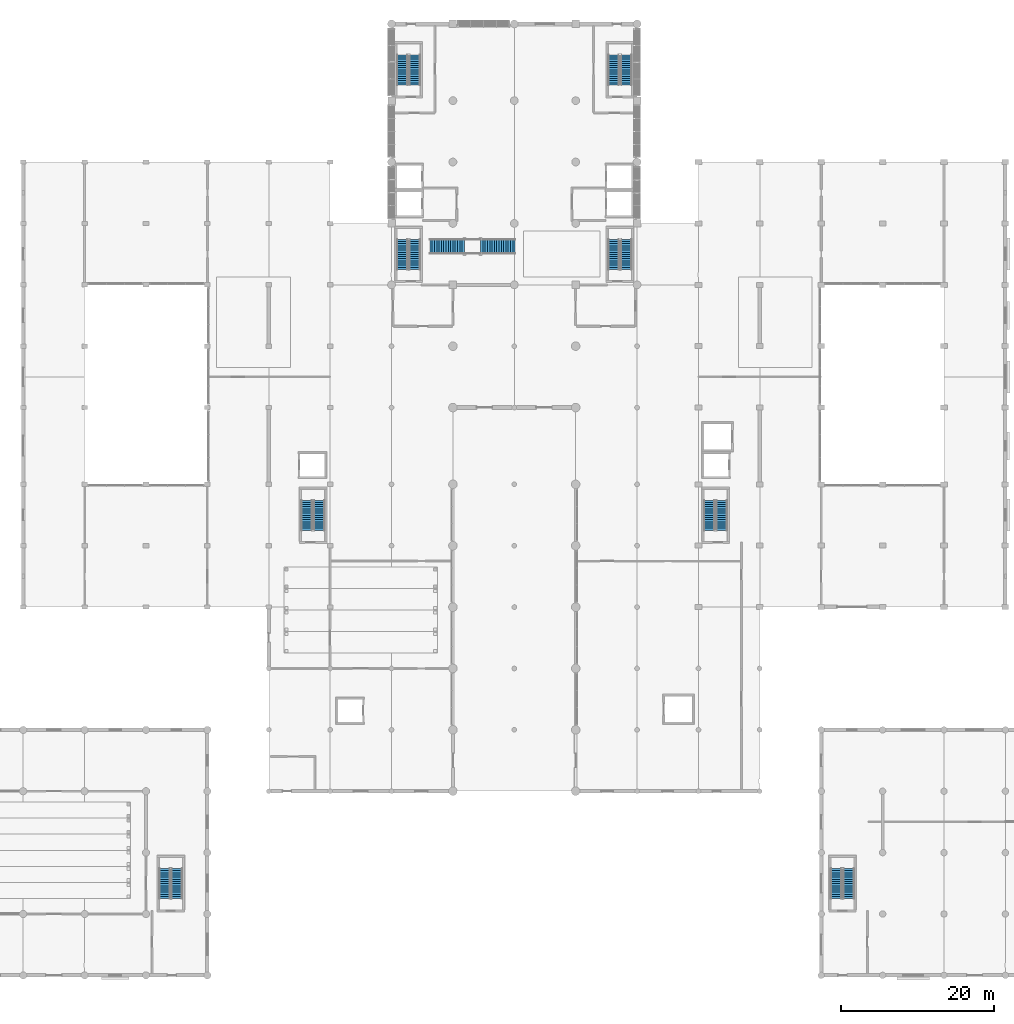
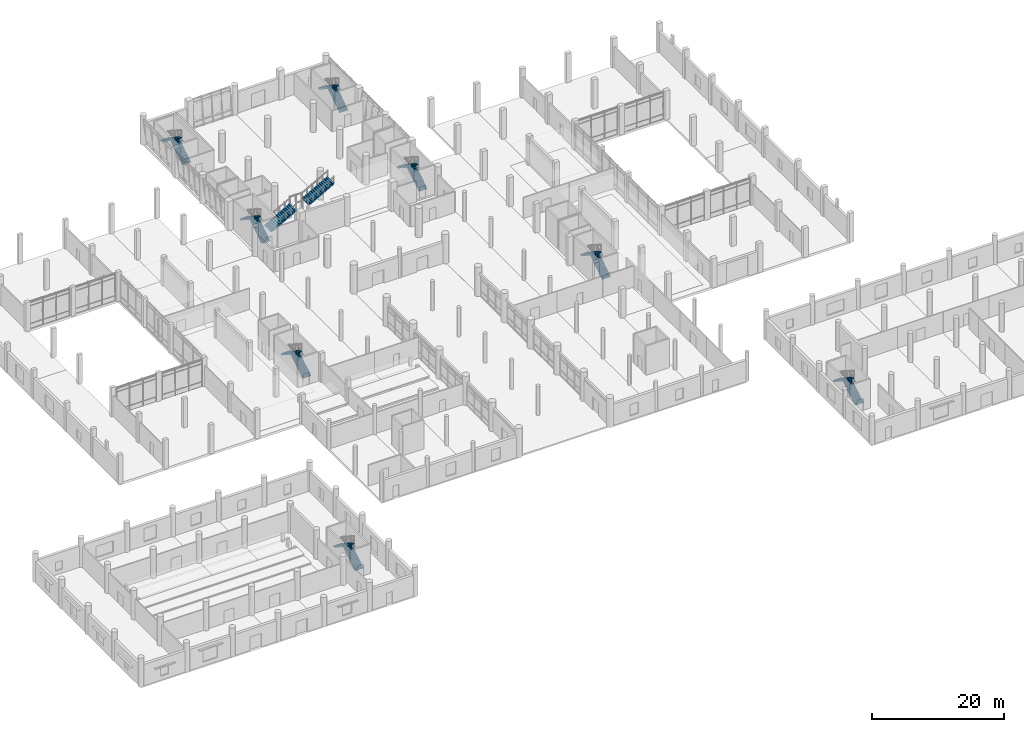
# One storey, part 31 of 42: 18 stair flights, 9 elements without a shape of their own.
"""IFC4 building model written with IfcOpenShell, lengths in metres."""

from ifc_helpers import new_model, si_unit, direction, frame, origin, place, context, subcontext, project, spatial, polyline, outline, extrude, material, type_object, element, aggregate, save


model = new_model("IFC4")

# Units and contexts
model_context = context("Model", 3, precision=1e-05, world=origin(), true_north=direction((0.0, 1.0)))
body_context = subcontext(model_context, "Body", "Model", "MODEL_VIEW")
ifc_project = project(units=[si_unit("LENGTHUNIT", "METRE"), si_unit("AREAUNIT", "SQUARE_METRE"), si_unit("VOLUMEUNIT", "CUBIC_METRE"), si_unit("PLANEANGLEUNIT", "RADIAN"), si_unit("MASSUNIT", "GRAM", prefix="KILO")], contexts=[model_context])

# Site, building, storey
site_placement = place(None, origin())
site = spatial("IfcSite", under=ifc_project, at=site_placement, CompositionType="ELEMENT")
building_placement = place(site_placement, origin())
building = spatial("IfcBuilding", under=site, at=building_placement, Name="Pecanmere Concourse Central Library", CompositionType="ELEMENT")
storey_placement = place(building_placement, origin())
storey = spatial("IfcBuildingStorey", under=building, at=storey_placement, Name="L01", CompositionType="ELEMENT", Elevation=0.0)

# Stair, stair flights
ifc_material_1 = material(Name="Concrete C35/45", Category="concrete")
stair_type_1 = type_object("IfcStairType", Name="STAIR_TYPE_ST-01-1800", PredefinedType="USERDEFINED", material=ifc_material_1)
stair_1_placement = place(storey_placement, origin())
stair_1 = element("IfcStair", 1, at=stair_1_placement, inside=storey, type_object=stair_type_1, Name="L01 Protected Stair ST-01", ObjectType="TWO_RETURN_STAIR", PredefinedType="USERDEFINED")
ifc_material_2 = material(Name="Concrete C35/45", Category="concrete")
stair_flight_type_1 = type_object("IfcStairFlightType", Name="FLIGHT_TYPE_SFL-145-1800", PredefinedType="STRAIGHT", material=ifc_material_2)
stair_flight_1_placement = place(storey_placement, frame((75.034912109375, 92.0, 0.0), z_axis=(0.0, 0.0, 1.0), x_axis=(0.0, 1.0, 0.0)))
stair_flight_1 = element("IfcStairFlight", 2, at=stair_flight_1_placement, type_object=stair_flight_type_1, Name="ST-01-1800 flight 1", NumberOfRisers=15, NumberOfTreads=14, PredefinedType="STRAIGHT", RiserHeight=0.18, TreadLength=0.28, context=body_context, shape_type="SweptSolid", body=[
    extrude(outline(polyline([(0.0, 0.0), (0.0, 0.179931640625), (0.280029296875, 0.179931640625), (0.280029296875, 0.360107421875), (0.56005859375, 0.360107421875), (0.56005859375, 0.5400390625), (0.840087890625, 0.5400390625), (0.840087890625, 0.719970703125), (1.1201171875, 0.719970703125), (1.1201171875, 0.89990234375), (1.39990234375, 0.89990234375), (1.39990234375, 1.080078125), (1.679931640625, 1.080078125), (1.679931640625, 1.260009765625), (1.9599609375, 1.260009765625), (1.9599609375, 1.43994140625), (2.239990234375, 1.43994140625), (2.239990234375, 1.6201171875), (2.52001953125, 1.6201171875), (2.52001953125, 1.800048828125), (2.800048828125, 1.800048828125), (2.800048828125, 1.97998046875), (3.080078125, 1.97998046875), (3.080078125, 2.159912109375), (3.360107421875, 2.159912109375), (3.360107421875, 2.340087890625), (3.639892578125, 2.340087890625), (3.639892578125, 2.52001953125), (3.919921875, 2.52001953125), (3.919921875, 2.699951171875), (3.919921875, 2.329833984375), (0.295654296875, 0.0), (0.0, 0.0)])), frame((0.0, 0.72509765625, 0.0), z_axis=(0.0, -1.0, 0.0), x_axis=(1.0, 0.0, 0.0)), (0.0, 0.0, 1.0), 1.449951171875),
])
stair_flight_2_placement = place(storey_placement, frame((73.425048828125, 95.919921875, 2.699951171875), z_axis=(0.0, 0.0, 1.0), x_axis=(0.0, -1.0, 0.0)))
stair_flight_2 = element("IfcStairFlight", 3, at=stair_flight_2_placement, type_object=stair_flight_type_1, Name="ST-01-1800 flight 2", NumberOfRisers=15, NumberOfTreads=14, PredefinedType="STRAIGHT", RiserHeight=0.18, TreadLength=0.28, context=body_context, shape_type="SweptSolid", body=[
    extrude(outline(polyline([(0.0, 0.0), (0.0, 0.179931640625), (0.280029296875, 0.179931640625), (0.280029296875, 0.360107421875), (0.56005859375, 0.360107421875), (0.56005859375, 0.5400390625), (0.840087890625, 0.5400390625), (0.840087890625, 0.719970703125), (1.1201171875, 0.719970703125), (1.1201171875, 0.89990234375), (1.39990234375, 0.89990234375), (1.39990234375, 1.080078125), (1.679931640625, 1.080078125), (1.679931640625, 1.260009765625), (1.9599609375, 1.260009765625), (1.9599609375, 1.43994140625), (2.239990234375, 1.43994140625), (2.239990234375, 1.6201171875), (2.52001953125, 1.6201171875), (2.52001953125, 1.800048828125), (2.800048828125, 1.800048828125), (2.800048828125, 1.97998046875), (3.080078125, 1.97998046875), (3.080078125, 2.159912109375), (3.360107421875, 2.159912109375), (3.360107421875, 2.340087890625), (3.639892578125, 2.340087890625), (3.639892578125, 2.52001953125), (3.919921875, 2.52001953125), (3.919921875, 2.699951171875), (3.919921875, 2.329833984375), (0.295654296875, 0.0), (0.0, 0.0)])), frame((0.0, 0.72509765625, 0.0), z_axis=(0.0, -1.0, 0.0), x_axis=(1.0, 0.0, 0.0)), (0.0, 0.0, 1.0), 1.449951171875),
])
aggregate(stair_1, [stair_flight_1, stair_flight_2])

ifc_material_3 = material(Name="Concrete C35/45", Category="concrete")
stair_type_2 = type_object("IfcStairType", Name="STAIR_TYPE_ST-02-1800", PredefinedType="USERDEFINED", material=ifc_material_3)
stair_2_placement = place(storey_placement, origin())
stair_2 = element("IfcStair", 4, at=stair_2_placement, inside=storey, type_object=stair_type_2, Name="L01 Protected Stair ST-02", ObjectType="TWO_RETURN_STAIR", PredefinedType="USERDEFINED")
stair_flight_3_placement = place(storey_placement, frame((102.574951171875, 92.0, 0.0), z_axis=(0.0, 0.0, 1.0), x_axis=(0.0, 1.0, 0.0)))
stair_flight_3 = element("IfcStairFlight", 5, at=stair_flight_3_placement, type_object=stair_flight_type_1, Name="ST-02-1800 flight 1", NumberOfRisers=15, NumberOfTreads=14, PredefinedType="STRAIGHT", RiserHeight=0.18, TreadLength=0.28, context=body_context, shape_type="SweptSolid", body=[
    extrude(outline(polyline([(0.0, 0.0), (0.0, 0.179931640625), (0.280029296875, 0.179931640625), (0.280029296875, 0.360107421875), (0.56005859375, 0.360107421875), (0.56005859375, 0.5400390625), (0.840087890625, 0.5400390625), (0.840087890625, 0.719970703125), (1.1201171875, 0.719970703125), (1.1201171875, 0.89990234375), (1.39990234375, 0.89990234375), (1.39990234375, 1.080078125), (1.679931640625, 1.080078125), (1.679931640625, 1.260009765625), (1.9599609375, 1.260009765625), (1.9599609375, 1.43994140625), (2.239990234375, 1.43994140625), (2.239990234375, 1.6201171875), (2.52001953125, 1.6201171875), (2.52001953125, 1.800048828125), (2.800048828125, 1.800048828125), (2.800048828125, 1.97998046875), (3.080078125, 1.97998046875), (3.080078125, 2.159912109375), (3.360107421875, 2.159912109375), (3.360107421875, 2.340087890625), (3.639892578125, 2.340087890625), (3.639892578125, 2.52001953125), (3.919921875, 2.52001953125), (3.919921875, 2.699951171875), (3.919921875, 2.329833984375), (0.295654296875, 0.0), (0.0, 0.0)])), frame((0.0, 0.72509765625, 0.0), z_axis=(0.0, -1.0, 0.0), x_axis=(1.0, 0.0, 0.0)), (0.0, 0.0, 1.0), 1.449951171875),
])
stair_flight_4_placement = place(storey_placement, frame((100.965087890625, 95.919921875, 2.699951171875), z_axis=(0.0, 0.0, 1.0), x_axis=(0.0, -1.0, 0.0)))
stair_flight_4 = element("IfcStairFlight", 6, at=stair_flight_4_placement, type_object=stair_flight_type_1, Name="ST-02-1800 flight 2", NumberOfRisers=15, NumberOfTreads=14, PredefinedType="STRAIGHT", RiserHeight=0.18, TreadLength=0.28, context=body_context, shape_type="SweptSolid", body=[
    extrude(outline(polyline([(0.0, 0.0), (0.0, 0.179931640625), (0.280029296875, 0.179931640625), (0.280029296875, 0.360107421875), (0.56005859375, 0.360107421875), (0.56005859375, 0.5400390625), (0.840087890625, 0.5400390625), (0.840087890625, 0.719970703125), (1.1201171875, 0.719970703125), (1.1201171875, 0.89990234375), (1.39990234375, 0.89990234375), (1.39990234375, 1.080078125), (1.679931640625, 1.080078125), (1.679931640625, 1.260009765625), (1.9599609375, 1.260009765625), (1.9599609375, 1.43994140625), (2.239990234375, 1.43994140625), (2.239990234375, 1.6201171875), (2.52001953125, 1.6201171875), (2.52001953125, 1.800048828125), (2.800048828125, 1.800048828125), (2.800048828125, 1.97998046875), (3.080078125, 1.97998046875), (3.080078125, 2.159912109375), (3.360107421875, 2.159912109375), (3.360107421875, 2.340087890625), (3.639892578125, 2.340087890625), (3.639892578125, 2.52001953125), (3.919921875, 2.52001953125), (3.919921875, 2.699951171875), (3.919921875, 2.329833984375), (0.295654296875, 0.0), (0.0, 0.0)])), frame((0.0, 0.72509765625, 0.0), z_axis=(0.0, -1.0, 0.0), x_axis=(1.0, 0.0, 0.0)), (0.0, 0.0, 1.0), 1.449951171875),
])
aggregate(stair_2, [stair_flight_3, stair_flight_4])

ifc_material_4 = material(Name="Concrete C35/45", Category="concrete")
stair_type_3 = type_object("IfcStairType", Name="STAIR_TYPE_ST-03-1800", PredefinedType="USERDEFINED", material=ifc_material_4)
stair_3_placement = place(storey_placement, origin())
stair_3 = element("IfcStair", 7, at=stair_3_placement, inside=storey, type_object=stair_type_3, Name="L01 Protected Stair ST-03", ObjectType="TWO_RETURN_STAIR", PredefinedType="USERDEFINED")
stair_flight_5_placement = place(storey_placement, frame((75.034912109375, 116.050048828125, 0.0), z_axis=(0.0, 0.0, 1.0), x_axis=(0.0, 1.0, 0.0)))
stair_flight_5 = element("IfcStairFlight", 8, at=stair_flight_5_placement, type_object=stair_flight_type_1, Name="ST-03-1800 flight 1", NumberOfRisers=15, NumberOfTreads=14, PredefinedType="STRAIGHT", RiserHeight=0.18, TreadLength=0.28, context=body_context, shape_type="SweptSolid", body=[
    extrude(outline(polyline([(0.0, 0.0), (0.0, 0.179931640625), (0.280029296875, 0.179931640625), (0.280029296875, 0.360107421875), (0.56005859375, 0.360107421875), (0.56005859375, 0.5400390625), (0.840087890625, 0.5400390625), (0.840087890625, 0.719970703125), (1.1201171875, 0.719970703125), (1.1201171875, 0.89990234375), (1.39990234375, 0.89990234375), (1.39990234375, 1.080078125), (1.679931640625, 1.080078125), (1.679931640625, 1.260009765625), (1.9599609375, 1.260009765625), (1.9599609375, 1.43994140625), (2.239990234375, 1.43994140625), (2.239990234375, 1.6201171875), (2.52001953125, 1.6201171875), (2.52001953125, 1.800048828125), (2.800048828125, 1.800048828125), (2.800048828125, 1.97998046875), (3.080078125, 1.97998046875), (3.080078125, 2.159912109375), (3.360107421875, 2.159912109375), (3.360107421875, 2.340087890625), (3.639892578125, 2.340087890625), (3.639892578125, 2.52001953125), (3.919921875, 2.52001953125), (3.919921875, 2.699951171875), (3.919921875, 2.329833984375), (0.295654296875, 0.0), (0.0, 0.0)])), frame((0.0, 0.72509765625, 0.0), z_axis=(0.0, -1.0, 0.0), x_axis=(1.0, 0.0, 0.0)), (0.0, 0.0, 1.0), 1.449951171875),
])
stair_flight_6_placement = place(storey_placement, frame((73.425048828125, 119.969970703125, 2.699951171875), z_axis=(0.0, 0.0, 1.0), x_axis=(0.0, -1.0, 0.0)))
stair_flight_6 = element("IfcStairFlight", 9, at=stair_flight_6_placement, type_object=stair_flight_type_1, Name="ST-03-1800 flight 2", NumberOfRisers=15, NumberOfTreads=14, PredefinedType="STRAIGHT", RiserHeight=0.18, TreadLength=0.28, context=body_context, shape_type="SweptSolid", body=[
    extrude(outline(polyline([(0.0, 0.0), (0.0, 0.179931640625), (0.280029296875, 0.179931640625), (0.280029296875, 0.360107421875), (0.56005859375, 0.360107421875), (0.56005859375, 0.5400390625), (0.840087890625, 0.5400390625), (0.840087890625, 0.719970703125), (1.1201171875, 0.719970703125), (1.1201171875, 0.89990234375), (1.39990234375, 0.89990234375), (1.39990234375, 1.080078125), (1.679931640625, 1.080078125), (1.679931640625, 1.260009765625), (1.9599609375, 1.260009765625), (1.9599609375, 1.43994140625), (2.239990234375, 1.43994140625), (2.239990234375, 1.6201171875), (2.52001953125, 1.6201171875), (2.52001953125, 1.800048828125), (2.800048828125, 1.800048828125), (2.800048828125, 1.97998046875), (3.080078125, 1.97998046875), (3.080078125, 2.159912109375), (3.360107421875, 2.159912109375), (3.360107421875, 2.340087890625), (3.639892578125, 2.340087890625), (3.639892578125, 2.52001953125), (3.919921875, 2.52001953125), (3.919921875, 2.699951171875), (3.919921875, 2.329833984375), (0.295654296875, 0.0), (0.0, 0.0)])), frame((0.0, 0.72509765625, 0.0), z_axis=(0.0, -1.0, 0.0), x_axis=(1.0, 0.0, 0.0)), (0.0, 0.0, 1.0), 1.449951171875),
])
aggregate(stair_3, [stair_flight_5, stair_flight_6])

ifc_material_5 = material(Name="Concrete C35/45", Category="concrete")
stair_type_4 = type_object("IfcStairType", Name="STAIR_TYPE_ST-04-1800", PredefinedType="USERDEFINED", material=ifc_material_5)
stair_4_placement = place(storey_placement, origin())
stair_4 = element("IfcStair", 10, at=stair_4_placement, inside=storey, type_object=stair_type_4, Name="L01 Protected Stair ST-04", ObjectType="TWO_RETURN_STAIR", PredefinedType="USERDEFINED")
stair_flight_7_placement = place(storey_placement, frame((102.574951171875, 116.050048828125, 0.0), z_axis=(0.0, 0.0, 1.0), x_axis=(0.0, 1.0, 0.0)))
stair_flight_7 = element("IfcStairFlight", 11, at=stair_flight_7_placement, type_object=stair_flight_type_1, Name="ST-04-1800 flight 1", NumberOfRisers=15, NumberOfTreads=14, PredefinedType="STRAIGHT", RiserHeight=0.18, TreadLength=0.28, context=body_context, shape_type="SweptSolid", body=[
    extrude(outline(polyline([(0.0, 0.0), (0.0, 0.179931640625), (0.280029296875, 0.179931640625), (0.280029296875, 0.360107421875), (0.56005859375, 0.360107421875), (0.56005859375, 0.5400390625), (0.840087890625, 0.5400390625), (0.840087890625, 0.719970703125), (1.1201171875, 0.719970703125), (1.1201171875, 0.89990234375), (1.39990234375, 0.89990234375), (1.39990234375, 1.080078125), (1.679931640625, 1.080078125), (1.679931640625, 1.260009765625), (1.9599609375, 1.260009765625), (1.9599609375, 1.43994140625), (2.239990234375, 1.43994140625), (2.239990234375, 1.6201171875), (2.52001953125, 1.6201171875), (2.52001953125, 1.800048828125), (2.800048828125, 1.800048828125), (2.800048828125, 1.97998046875), (3.080078125, 1.97998046875), (3.080078125, 2.159912109375), (3.360107421875, 2.159912109375), (3.360107421875, 2.340087890625), (3.639892578125, 2.340087890625), (3.639892578125, 2.52001953125), (3.919921875, 2.52001953125), (3.919921875, 2.699951171875), (3.919921875, 2.329833984375), (0.295654296875, 0.0), (0.0, 0.0)])), frame((0.0, 0.72509765625, 0.0), z_axis=(0.0, -1.0, 0.0), x_axis=(1.0, 0.0, 0.0)), (0.0, 0.0, 1.0), 1.449951171875),
])
stair_flight_8_placement = place(storey_placement, frame((100.965087890625, 119.969970703125, 2.699951171875), z_axis=(0.0, 0.0, 1.0), x_axis=(0.0, -1.0, 0.0)))
stair_flight_8 = element("IfcStairFlight", 12, at=stair_flight_8_placement, type_object=stair_flight_type_1, Name="ST-04-1800 flight 2", NumberOfRisers=15, NumberOfTreads=14, PredefinedType="STRAIGHT", RiserHeight=0.18, TreadLength=0.28, context=body_context, shape_type="SweptSolid", body=[
    extrude(outline(polyline([(0.0, 0.0), (0.0, 0.179931640625), (0.280029296875, 0.179931640625), (0.280029296875, 0.360107421875), (0.56005859375, 0.360107421875), (0.56005859375, 0.5400390625), (0.840087890625, 0.5400390625), (0.840087890625, 0.719970703125), (1.1201171875, 0.719970703125), (1.1201171875, 0.89990234375), (1.39990234375, 0.89990234375), (1.39990234375, 1.080078125), (1.679931640625, 1.080078125), (1.679931640625, 1.260009765625), (1.9599609375, 1.260009765625), (1.9599609375, 1.43994140625), (2.239990234375, 1.43994140625), (2.239990234375, 1.6201171875), (2.52001953125, 1.6201171875), (2.52001953125, 1.800048828125), (2.800048828125, 1.800048828125), (2.800048828125, 1.97998046875), (3.080078125, 1.97998046875), (3.080078125, 2.159912109375), (3.360107421875, 2.159912109375), (3.360107421875, 2.340087890625), (3.639892578125, 2.340087890625), (3.639892578125, 2.52001953125), (3.919921875, 2.52001953125), (3.919921875, 2.699951171875), (3.919921875, 2.329833984375), (0.295654296875, 0.0), (0.0, 0.0)])), frame((0.0, 0.72509765625, 0.0), z_axis=(0.0, -1.0, 0.0), x_axis=(1.0, 0.0, 0.0)), (0.0, 0.0, 1.0), 1.449951171875),
])
aggregate(stair_4, [stair_flight_7, stair_flight_8])

ifc_material_6 = material(Name="Concrete C35/45", Category="concrete")
stair_type_5 = type_object("IfcStairType", Name="STAIR_TYPE_ST-05-1800", PredefinedType="USERDEFINED", material=ifc_material_6)
stair_5_placement = place(storey_placement, origin())
stair_5 = element("IfcStair", 13, at=stair_5_placement, inside=storey, type_object=stair_type_5, Name="L01 Protected Stair ST-05", ObjectType="TWO_RETURN_STAIR", PredefinedType="USERDEFINED")
stair_flight_9_placement = place(storey_placement, frame((115.034912109375, 58.0, 0.0), z_axis=(0.0, 0.0, 1.0), x_axis=(0.0, 1.0, 0.0)))
stair_flight_9 = element("IfcStairFlight", 14, at=stair_flight_9_placement, type_object=stair_flight_type_1, Name="ST-05-1800 flight 1", NumberOfRisers=15, NumberOfTreads=14, PredefinedType="STRAIGHT", RiserHeight=0.18, TreadLength=0.28, context=body_context, shape_type="SweptSolid", body=[
    extrude(outline(polyline([(0.0, 0.0), (0.0, 0.179931640625), (0.280029296875, 0.179931640625), (0.280029296875, 0.360107421875), (0.56005859375, 0.360107421875), (0.56005859375, 0.5400390625), (0.840087890625, 0.5400390625), (0.840087890625, 0.719970703125), (1.1201171875, 0.719970703125), (1.1201171875, 0.89990234375), (1.39990234375, 0.89990234375), (1.39990234375, 1.080078125), (1.679931640625, 1.080078125), (1.679931640625, 1.260009765625), (1.9599609375, 1.260009765625), (1.9599609375, 1.43994140625), (2.239990234375, 1.43994140625), (2.239990234375, 1.6201171875), (2.52001953125, 1.6201171875), (2.52001953125, 1.800048828125), (2.800048828125, 1.800048828125), (2.800048828125, 1.97998046875), (3.080078125, 1.97998046875), (3.080078125, 2.159912109375), (3.360107421875, 2.159912109375), (3.360107421875, 2.340087890625), (3.639892578125, 2.340087890625), (3.639892578125, 2.52001953125), (3.919921875, 2.52001953125), (3.919921875, 2.699951171875), (3.919921875, 2.329833984375), (0.295654296875, 0.0), (0.0, 0.0)])), frame((0.0, 0.72509765625, 0.0), z_axis=(0.0, -1.0, 0.0), x_axis=(1.0, 0.0, 0.0)), (0.0, 0.0, 1.0), 1.449951171875),
])
stair_flight_10_placement = place(storey_placement, frame((113.425048828125, 61.919921875, 2.699951171875), z_axis=(0.0, 0.0, 1.0), x_axis=(0.0, -1.0, 0.0)))
stair_flight_10 = element("IfcStairFlight", 15, at=stair_flight_10_placement, type_object=stair_flight_type_1, Name="ST-05-1800 flight 2", NumberOfRisers=15, NumberOfTreads=14, PredefinedType="STRAIGHT", RiserHeight=0.18, TreadLength=0.28, context=body_context, shape_type="SweptSolid", body=[
    extrude(outline(polyline([(0.0, 0.0), (0.0, 0.179931640625), (0.280029296875, 0.179931640625), (0.280029296875, 0.360107421875), (0.56005859375, 0.360107421875), (0.56005859375, 0.5400390625), (0.840087890625, 0.5400390625), (0.840087890625, 0.719970703125), (1.1201171875, 0.719970703125), (1.1201171875, 0.89990234375), (1.39990234375, 0.89990234375), (1.39990234375, 1.080078125), (1.679931640625, 1.080078125), (1.679931640625, 1.260009765625), (1.9599609375, 1.260009765625), (1.9599609375, 1.43994140625), (2.239990234375, 1.43994140625), (2.239990234375, 1.6201171875), (2.52001953125, 1.6201171875), (2.52001953125, 1.800048828125), (2.800048828125, 1.800048828125), (2.800048828125, 1.97998046875), (3.080078125, 1.97998046875), (3.080078125, 2.159912109375), (3.360107421875, 2.159912109375), (3.360107421875, 2.340087890625), (3.639892578125, 2.340087890625), (3.639892578125, 2.52001953125), (3.919921875, 2.52001953125), (3.919921875, 2.699951171875), (3.919921875, 2.329833984375), (0.295654296875, 0.0), (0.0, 0.0)])), frame((0.0, 0.72509765625, 0.0), z_axis=(0.0, -1.0, 0.0), x_axis=(1.0, 0.0, 0.0)), (0.0, 0.0, 1.0), 1.449951171875),
])
aggregate(stair_5, [stair_flight_9, stair_flight_10])

ifc_material_7 = material(Name="Concrete C35/45", Category="concrete")
stair_type_6 = type_object("IfcStairType", Name="STAIR_TYPE_ST-06-1800", PredefinedType="USERDEFINED", material=ifc_material_7)
stair_6_placement = place(storey_placement, origin())
stair_6 = element("IfcStair", 16, at=stair_6_placement, inside=storey, type_object=stair_type_6, Name="L01 Protected Stair ST-06", ObjectType="TWO_RETURN_STAIR", PredefinedType="USERDEFINED")
stair_flight_11_placement = place(storey_placement, frame((62.574951171875, 58.0, 0.0), z_axis=(0.0, 0.0, 1.0), x_axis=(0.0, 1.0, 0.0)))
stair_flight_11 = element("IfcStairFlight", 17, at=stair_flight_11_placement, type_object=stair_flight_type_1, Name="ST-06-1800 flight 1", NumberOfRisers=15, NumberOfTreads=14, PredefinedType="STRAIGHT", RiserHeight=0.18, TreadLength=0.28, context=body_context, shape_type="SweptSolid", body=[
    extrude(outline(polyline([(0.0, 0.0), (0.0, 0.179931640625), (0.280029296875, 0.179931640625), (0.280029296875, 0.360107421875), (0.56005859375, 0.360107421875), (0.56005859375, 0.5400390625), (0.840087890625, 0.5400390625), (0.840087890625, 0.719970703125), (1.1201171875, 0.719970703125), (1.1201171875, 0.89990234375), (1.39990234375, 0.89990234375), (1.39990234375, 1.080078125), (1.679931640625, 1.080078125), (1.679931640625, 1.260009765625), (1.9599609375, 1.260009765625), (1.9599609375, 1.43994140625), (2.239990234375, 1.43994140625), (2.239990234375, 1.6201171875), (2.52001953125, 1.6201171875), (2.52001953125, 1.800048828125), (2.800048828125, 1.800048828125), (2.800048828125, 1.97998046875), (3.080078125, 1.97998046875), (3.080078125, 2.159912109375), (3.360107421875, 2.159912109375), (3.360107421875, 2.340087890625), (3.639892578125, 2.340087890625), (3.639892578125, 2.52001953125), (3.919921875, 2.52001953125), (3.919921875, 2.699951171875), (3.919921875, 2.329833984375), (0.295654296875, 0.0), (0.0, 0.0)])), frame((0.0, 0.72509765625, 0.0), z_axis=(0.0, -1.0, 0.0), x_axis=(1.0, 0.0, 0.0)), (0.0, 0.0, 1.0), 1.449951171875),
])
stair_flight_12_placement = place(storey_placement, frame((60.965087890625, 61.919921875, 2.699951171875), z_axis=(0.0, 0.0, 1.0), x_axis=(0.0, -1.0, 0.0)))
stair_flight_12 = element("IfcStairFlight", 18, at=stair_flight_12_placement, type_object=stair_flight_type_1, Name="ST-06-1800 flight 2", NumberOfRisers=15, NumberOfTreads=14, PredefinedType="STRAIGHT", RiserHeight=0.18, TreadLength=0.28, context=body_context, shape_type="SweptSolid", body=[
    extrude(outline(polyline([(0.0, 0.0), (0.0, 0.179931640625), (0.280029296875, 0.179931640625), (0.280029296875, 0.360107421875), (0.56005859375, 0.360107421875), (0.56005859375, 0.5400390625), (0.840087890625, 0.5400390625), (0.840087890625, 0.719970703125), (1.1201171875, 0.719970703125), (1.1201171875, 0.89990234375), (1.39990234375, 0.89990234375), (1.39990234375, 1.080078125), (1.679931640625, 1.080078125), (1.679931640625, 1.260009765625), (1.9599609375, 1.260009765625), (1.9599609375, 1.43994140625), (2.239990234375, 1.43994140625), (2.239990234375, 1.6201171875), (2.52001953125, 1.6201171875), (2.52001953125, 1.800048828125), (2.800048828125, 1.800048828125), (2.800048828125, 1.97998046875), (3.080078125, 1.97998046875), (3.080078125, 2.159912109375), (3.360107421875, 2.159912109375), (3.360107421875, 2.340087890625), (3.639892578125, 2.340087890625), (3.639892578125, 2.52001953125), (3.919921875, 2.52001953125), (3.919921875, 2.699951171875), (3.919921875, 2.329833984375), (0.295654296875, 0.0), (0.0, 0.0)])), frame((0.0, 0.72509765625, 0.0), z_axis=(0.0, -1.0, 0.0), x_axis=(1.0, 0.0, 0.0)), (0.0, 0.0, 1.0), 1.449951171875),
])
aggregate(stair_6, [stair_flight_11, stair_flight_12])

ifc_material_8 = material(Name="Concrete C35/45", Category="concrete")
stair_type_7 = type_object("IfcStairType", Name="STAIR_TYPE_ST-07-1800", PredefinedType="USERDEFINED", material=ifc_material_8)
stair_7_placement = place(storey_placement, origin())
stair_7 = element("IfcStair", 19, at=stair_7_placement, inside=storey, type_object=stair_type_7, Name="L01 Protected Stair ST-07", ObjectType="TWO_RETURN_STAIR", PredefinedType="USERDEFINED")
stair_flight_13_placement = place(storey_placement, frame((44.034912109375, 10.0, 0.0), z_axis=(0.0, 0.0, 1.0), x_axis=(0.0, 1.0, 0.0)))
stair_flight_13 = element("IfcStairFlight", 20, at=stair_flight_13_placement, type_object=stair_flight_type_1, Name="ST-07-1800 flight 1", NumberOfRisers=15, NumberOfTreads=14, PredefinedType="STRAIGHT", RiserHeight=0.18, TreadLength=0.28, context=body_context, shape_type="SweptSolid", body=[
    extrude(outline(polyline([(0.0, 0.0), (0.0, 0.179931640625), (0.280029296875, 0.179931640625), (0.280029296875, 0.360107421875), (0.56005859375, 0.360107421875), (0.56005859375, 0.5400390625), (0.840087890625, 0.5400390625), (0.840087890625, 0.719970703125), (1.1201171875, 0.719970703125), (1.1201171875, 0.89990234375), (1.39990234375, 0.89990234375), (1.39990234375, 1.080078125), (1.679931640625, 1.080078125), (1.679931640625, 1.260009765625), (1.9599609375, 1.260009765625), (1.9599609375, 1.43994140625), (2.239990234375, 1.43994140625), (2.239990234375, 1.6201171875), (2.52001953125, 1.6201171875), (2.52001953125, 1.800048828125), (2.800048828125, 1.800048828125), (2.800048828125, 1.97998046875), (3.080078125, 1.97998046875), (3.080078125, 2.159912109375), (3.360107421875, 2.159912109375), (3.360107421875, 2.340087890625), (3.639892578125, 2.340087890625), (3.639892578125, 2.52001953125), (3.919921875, 2.52001953125), (3.919921875, 2.699951171875), (3.919921875, 2.329833984375), (0.295654296875, 0.0), (0.0, 0.0)])), frame((0.0, 0.72509765625, 0.0), z_axis=(0.0, -1.0, 0.0), x_axis=(1.0, 0.0, 0.0)), (0.0, 0.0, 1.0), 1.449951171875),
])
stair_flight_14_placement = place(storey_placement, frame((42.425048828125, 13.919921875, 2.699951171875), z_axis=(0.0, 0.0, 1.0), x_axis=(0.0, -1.0, 0.0)))
stair_flight_14 = element("IfcStairFlight", 21, at=stair_flight_14_placement, type_object=stair_flight_type_1, Name="ST-07-1800 flight 2", NumberOfRisers=15, NumberOfTreads=14, PredefinedType="STRAIGHT", RiserHeight=0.18, TreadLength=0.28, context=body_context, shape_type="SweptSolid", body=[
    extrude(outline(polyline([(0.0, 0.0), (0.0, 0.179931640625), (0.280029296875, 0.179931640625), (0.280029296875, 0.360107421875), (0.56005859375, 0.360107421875), (0.56005859375, 0.5400390625), (0.840087890625, 0.5400390625), (0.840087890625, 0.719970703125), (1.1201171875, 0.719970703125), (1.1201171875, 0.89990234375), (1.39990234375, 0.89990234375), (1.39990234375, 1.080078125), (1.679931640625, 1.080078125), (1.679931640625, 1.260009765625), (1.9599609375, 1.260009765625), (1.9599609375, 1.43994140625), (2.239990234375, 1.43994140625), (2.239990234375, 1.6201171875), (2.52001953125, 1.6201171875), (2.52001953125, 1.800048828125), (2.800048828125, 1.800048828125), (2.800048828125, 1.97998046875), (3.080078125, 1.97998046875), (3.080078125, 2.159912109375), (3.360107421875, 2.159912109375), (3.360107421875, 2.340087890625), (3.639892578125, 2.340087890625), (3.639892578125, 2.52001953125), (3.919921875, 2.52001953125), (3.919921875, 2.699951171875), (3.919921875, 2.329833984375), (0.295654296875, 0.0), (0.0, 0.0)])), frame((0.0, 0.72509765625, 0.0), z_axis=(0.0, -1.0, 0.0), x_axis=(1.0, 0.0, 0.0)), (0.0, 0.0, 1.0), 1.449951171875),
])
aggregate(stair_7, [stair_flight_13, stair_flight_14])

ifc_material_9 = material(Name="Concrete C35/45", Category="concrete")
stair_type_8 = type_object("IfcStairType", Name="STAIR_TYPE_ST-08-1800", PredefinedType="USERDEFINED", material=ifc_material_9)
stair_8_placement = place(storey_placement, origin())
stair_8 = element("IfcStair", 22, at=stair_8_placement, inside=storey, type_object=stair_type_8, Name="L01 Protected Stair ST-08", ObjectType="TWO_RETURN_STAIR", PredefinedType="USERDEFINED")
stair_flight_15_placement = place(storey_placement, frame((131.574951171875, 10.0, 0.0), z_axis=(0.0, 0.0, 1.0), x_axis=(0.0, 1.0, 0.0)))
stair_flight_15 = element("IfcStairFlight", 23, at=stair_flight_15_placement, type_object=stair_flight_type_1, Name="ST-08-1800 flight 1", NumberOfRisers=15, NumberOfTreads=14, PredefinedType="STRAIGHT", RiserHeight=0.18, TreadLength=0.28, context=body_context, shape_type="SweptSolid", body=[
    extrude(outline(polyline([(0.0, 0.0), (0.0, 0.179931640625), (0.280029296875, 0.179931640625), (0.280029296875, 0.360107421875), (0.56005859375, 0.360107421875), (0.56005859375, 0.5400390625), (0.840087890625, 0.5400390625), (0.840087890625, 0.719970703125), (1.1201171875, 0.719970703125), (1.1201171875, 0.89990234375), (1.39990234375, 0.89990234375), (1.39990234375, 1.080078125), (1.679931640625, 1.080078125), (1.679931640625, 1.260009765625), (1.9599609375, 1.260009765625), (1.9599609375, 1.43994140625), (2.239990234375, 1.43994140625), (2.239990234375, 1.6201171875), (2.52001953125, 1.6201171875), (2.52001953125, 1.800048828125), (2.800048828125, 1.800048828125), (2.800048828125, 1.97998046875), (3.080078125, 1.97998046875), (3.080078125, 2.159912109375), (3.360107421875, 2.159912109375), (3.360107421875, 2.340087890625), (3.639892578125, 2.340087890625), (3.639892578125, 2.52001953125), (3.919921875, 2.52001953125), (3.919921875, 2.699951171875), (3.919921875, 2.329833984375), (0.295654296875, 0.0), (0.0, 0.0)])), frame((0.0, 0.72509765625, 0.0), z_axis=(0.0, -1.0, 0.0), x_axis=(1.0, 0.0, 0.0)), (0.0, 0.0, 1.0), 1.449951171875),
])
stair_flight_16_placement = place(storey_placement, frame((129.965087890625, 13.919921875, 2.699951171875), z_axis=(0.0, 0.0, 1.0), x_axis=(0.0, -1.0, 0.0)))
stair_flight_16 = element("IfcStairFlight", 24, at=stair_flight_16_placement, type_object=stair_flight_type_1, Name="ST-08-1800 flight 2", NumberOfRisers=15, NumberOfTreads=14, PredefinedType="STRAIGHT", RiserHeight=0.18, TreadLength=0.28, context=body_context, shape_type="SweptSolid", body=[
    extrude(outline(polyline([(0.0, 0.0), (0.0, 0.179931640625), (0.280029296875, 0.179931640625), (0.280029296875, 0.360107421875), (0.56005859375, 0.360107421875), (0.56005859375, 0.5400390625), (0.840087890625, 0.5400390625), (0.840087890625, 0.719970703125), (1.1201171875, 0.719970703125), (1.1201171875, 0.89990234375), (1.39990234375, 0.89990234375), (1.39990234375, 1.080078125), (1.679931640625, 1.080078125), (1.679931640625, 1.260009765625), (1.9599609375, 1.260009765625), (1.9599609375, 1.43994140625), (2.239990234375, 1.43994140625), (2.239990234375, 1.6201171875), (2.52001953125, 1.6201171875), (2.52001953125, 1.800048828125), (2.800048828125, 1.800048828125), (2.800048828125, 1.97998046875), (3.080078125, 1.97998046875), (3.080078125, 2.159912109375), (3.360107421875, 2.159912109375), (3.360107421875, 2.340087890625), (3.639892578125, 2.340087890625), (3.639892578125, 2.52001953125), (3.919921875, 2.52001953125), (3.919921875, 2.699951171875), (3.919921875, 2.329833984375), (0.295654296875, 0.0), (0.0, 0.0)])), frame((0.0, 0.72509765625, 0.0), z_axis=(0.0, -1.0, 0.0), x_axis=(1.0, 0.0, 0.0)), (0.0, 0.0, 1.0), 1.449951171875),
])
aggregate(stair_8, [stair_flight_15, stair_flight_16])

ifc_material_10 = material(Name="Concrete C35/45", Category="concrete")
stair_type_9 = type_object("IfcStairType", Name="STAIR_TYPE_ST-M2", PredefinedType="STRAIGHT_RUN_STAIR", material=ifc_material_10)
stair_9_placement = place(storey_placement, origin())
stair_9 = element("IfcStair", 25, at=stair_9_placement, inside=storey, type_object=stair_type_9, Name="Monumental Civic Stair ST-M2", PredefinedType="STRAIGHT_RUN_STAIR")
ifc_material_11 = material(Name="Concrete C35/45", Category="concrete")
stair_flight_type_2 = type_object("IfcStairFlightType", Name="FLIGHT_TYPE_SFL-M2", PredefinedType="STRAIGHT", material=ifc_material_11)
stair_flight_17_placement = place(storey_placement, frame((77.0, 95.0, 0.0), z_axis=(0.0, 0.0, 1.0), x_axis=(1.0, 0.0, 0.0)))
stair_flight_17 = element("IfcStairFlight", 26, at=stair_flight_17_placement, type_object=stair_flight_type_2, Name="ST-M2 Lower Flight", NumberOfRisers=16, NumberOfTreads=15, PredefinedType="STRAIGHT", RiserHeight=0.16875, TreadLength=0.3, context=body_context, shape_type="SweptSolid", body=[
    extrude(outline(polyline([(0.0, 0.0), (0.0, 0.168701171875), (0.300048828125, 0.168701171875), (0.300048828125, 0.33740234375), (0.60009765625, 0.33740234375), (0.60009765625, 0.50634765625), (0.89990234375, 0.50634765625), (0.89990234375, 0.675048828125), (1.199951171875, 0.675048828125), (1.199951171875, 0.84375), (1.5, 0.84375), (1.5, 1.012451171875), (1.800048828125, 1.012451171875), (1.800048828125, 1.18115234375), (2.10009765625, 1.18115234375), (2.10009765625, 1.35009765625), (2.39990234375, 1.35009765625), (2.39990234375, 1.518798828125), (2.699951171875, 1.518798828125), (2.699951171875, 1.6875), (3.0, 1.6875), (3.0, 1.856201171875), (3.300048828125, 1.856201171875), (3.300048828125, 2.02490234375), (3.60009765625, 2.02490234375), (3.60009765625, 2.19384765625), (3.89990234375, 2.19384765625), (3.89990234375, 2.362548828125), (4.199951171875, 2.362548828125), (4.199951171875, 2.53125), (4.5, 2.53125), (4.5, 2.699951171875), (4.5, 2.27880859375), (0.44873046875, 0.0), (0.0, 0.0)])), frame((0.0, 0.97509765625, 0.0), z_axis=(0.0, -1.0, 0.0), x_axis=(1.0, 0.0, 0.0)), (0.0, 0.0, 1.0), 1.949951171875),
])
stair_flight_18_placement = place(storey_placement, frame((83.60009765625, 95.0, 2.699951171875), z_axis=(0.0, 0.0, 1.0), x_axis=(1.0, 0.0, 0.0)))
stair_flight_18 = element("IfcStairFlight", 27, at=stair_flight_18_placement, type_object=stair_flight_type_2, Name="ST-M2 Upper Flight", NumberOfRisers=16, NumberOfTreads=15, PredefinedType="STRAIGHT", RiserHeight=0.16875, TreadLength=0.3, context=body_context, shape_type="SweptSolid", body=[
    extrude(outline(polyline([(0.0, 0.0), (0.0, 0.168701171875), (0.300048828125, 0.168701171875), (0.300048828125, 0.33740234375), (0.60009765625, 0.33740234375), (0.60009765625, 0.50634765625), (0.89990234375, 0.50634765625), (0.89990234375, 0.675048828125), (1.199951171875, 0.675048828125), (1.199951171875, 0.84375), (1.5, 0.84375), (1.5, 1.012451171875), (1.800048828125, 1.012451171875), (1.800048828125, 1.18115234375), (2.10009765625, 1.18115234375), (2.10009765625, 1.35009765625), (2.39990234375, 1.35009765625), (2.39990234375, 1.518798828125), (2.699951171875, 1.518798828125), (2.699951171875, 1.6875), (3.0, 1.6875), (3.0, 1.856201171875), (3.300048828125, 1.856201171875), (3.300048828125, 2.02490234375), (3.60009765625, 2.02490234375), (3.60009765625, 2.19384765625), (3.89990234375, 2.19384765625), (3.89990234375, 2.362548828125), (4.199951171875, 2.362548828125), (4.199951171875, 2.53125), (4.5, 2.53125), (4.5, 2.699951171875), (4.5, 2.27880859375), (0.44873046875, 0.0), (0.0, 0.0)])), frame((0.0, 0.97509765625, 0.0), z_axis=(0.0, -1.0, 0.0), x_axis=(1.0, 0.0, 0.0)), (0.0, 0.0, 1.0), 1.949951171875),
])
aggregate(stair_9, [stair_flight_17, stair_flight_18])

save(model, "model.ifc")
